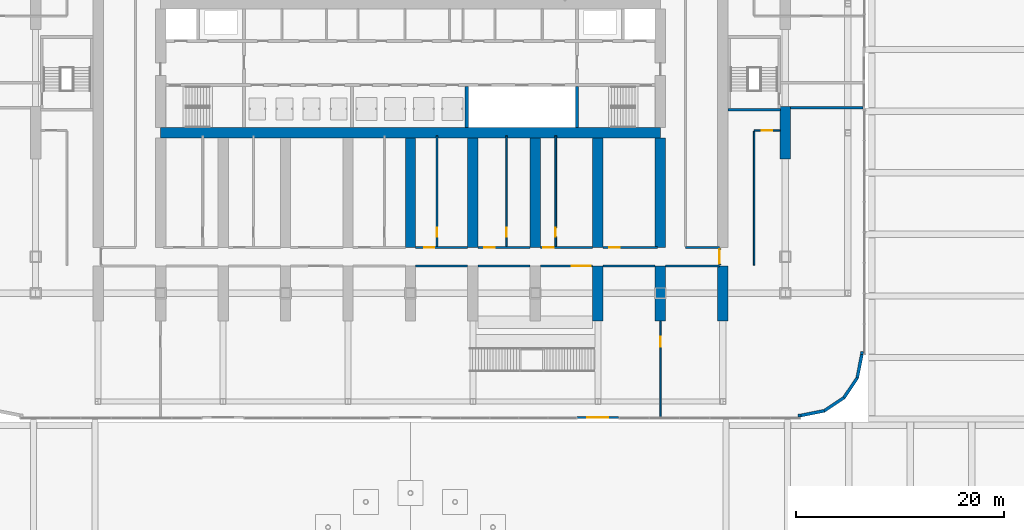
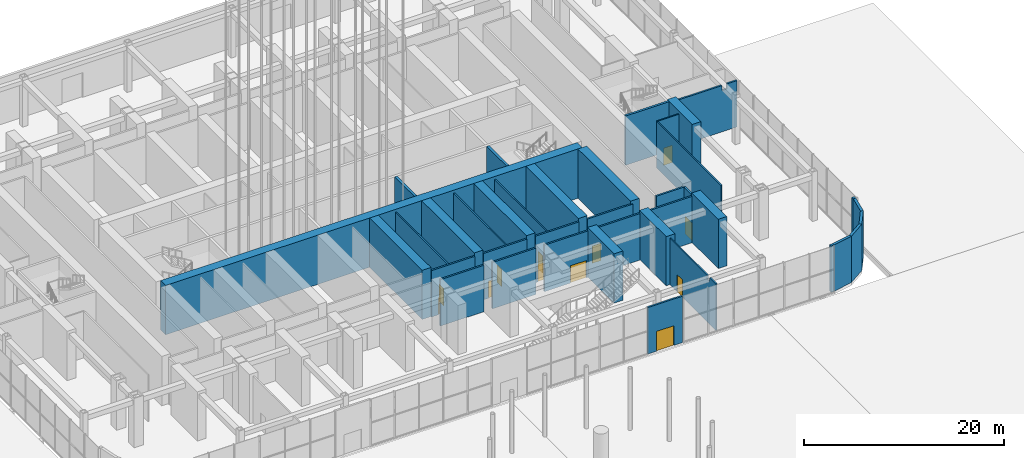
# One storey, part 18 of 57: 38 walls, 12 doors, 12 openings.
"""IFC4 building model written with IfcOpenShell, lengths in metres."""

import ifcopenshell
import ifcopenshell.guid

model = None  # the IFC model being written
_history = None  # IfcOwnerHistory: only IFC2X3 demands one
_inside = {}  # id of a spatial element -> (the spatial element, [elements in it])
_under = {}  # id of a project, library or spatial element -> (it, [spatial elements below it])
_declared = {}  # id of a project -> (the project, [libraries it declares])
_typed = {}  # id of a type object -> (the type object, [elements of that type])
_made_of = {}  # id of a material, layer set ... -> (it, [elements and type objects made of it])


def new_model(schema):
    """Start an empty IFC model of exactly this schema.

    Asked for "IFC4X3", IfcOpenShell would pick the latest addendum, in which some entities
    have other attributes; the version numbers below select the first issue.
    IFC2X3 requires an IfcOwnerHistory on every rooted entity: one is made here for all.
    """
    global model, _history
    if schema == "IFC4X3":
        model = ifcopenshell.file(schema_version=(4, 3, 0, 0))
    else:
        model = ifcopenshell.file(schema=schema)
    _inside.clear()
    _under.clear()
    _declared.clear()
    _typed.clear()
    _made_of.clear()
    _history = None
    if model.schema == "IFC2X3":
        org = make("IfcOrganization", Name="unknown")
        user = make(
            "IfcPersonAndOrganization",
            ThePerson=make("IfcPerson", FamilyName="unknown"),
            TheOrganization=org,
        )
        app = make(
            "IfcApplication",
            ApplicationDeveloper=org,
            Version="unknown",
            ApplicationFullName="unknown",
            ApplicationIdentifier="unknown",
        )
        _history = make(
            "IfcOwnerHistory",
            OwningUser=user,
            OwningApplication=app,
            ChangeAction="ADDED",
            CreationDate=0,
        )
    return model


def make(cls, **values):
    """One entity of the class cls with the attributes given. An attribute that is None is left unset."""
    return model.create_entity(
        cls, **{name: value for name, value in values.items() if value is not None}
    )


def rooted(cls, **values):
    """An entity with a GlobalId (a new one), such as an element, a storey or a relation."""
    return make(cls, GlobalId=ifcopenshell.guid.new(), OwnerHistory=_history, **values)


def si_unit(unit_type, name, prefix=None):
    """IfcSIUnit, for example si_unit("LENGTHUNIT", "METRE", prefix="MILLI")."""
    return make("IfcSIUnit", UnitType=unit_type, Prefix=prefix, Name=name)


def assignment(units):
    """IfcUnitAssignment: the units of a project."""
    return None if units is None else make("IfcUnitAssignment", Units=units)


def point(xyz):
    """IfcCartesianPoint."""
    return None if xyz is None else make("IfcCartesianPoint", Coordinates=xyz)


def direction(xyz):
    """IfcDirection."""
    return None if xyz is None else make("IfcDirection", DirectionRatios=xyz)


def frame(location, z_axis=None, x_axis=None):
    """IfcAxis2Placement3D, a coordinate frame: its origin and axes. An axis left out is left unset."""
    return make(
        "IfcAxis2Placement3D",
        Location=point(location),
        Axis=direction(z_axis),
        RefDirection=direction(x_axis),
    )


def frame_2d(location, x_axis=None):
    """IfcAxis2Placement2D, a coordinate frame in the plane: its origin and x axis."""
    return make(
        "IfcAxis2Placement2D", Location=point(location), RefDirection=direction(x_axis)
    )


def origin():
    """The frame at (0, 0, 0) with its axes left unset."""
    return frame((0.0, 0.0, 0.0))


def place(relative_to, where):
    """IfcLocalPlacement: puts the frame where relative to a parent placement (None: the world)."""
    return make(
        "IfcLocalPlacement", PlacementRelTo=relative_to, RelativePlacement=where
    )


def context(
    kind, dimensions, precision=None, world=None, true_north=None, identifier=None
):
    """IfcGeometricRepresentationContext, for example the 3D "Model" context."""
    return make(
        "IfcGeometricRepresentationContext",
        ContextIdentifier=identifier,
        ContextType=kind,
        CoordinateSpaceDimension=dimensions,
        Precision=precision,
        WorldCoordinateSystem=world,
        TrueNorth=true_north,
    )


def subcontext(parent, identifier, kind, view, scale=None):
    """IfcGeometricRepresentationSubContext, for example "Body" below "Model"."""
    return make(
        "IfcGeometricRepresentationSubContext",
        ContextIdentifier=identifier,
        ContextType=kind,
        ParentContext=parent,
        TargetScale=scale,
        TargetView=view,
    )


def project(units=None, contexts=None):
    """IfcProject with its units and contexts."""
    return rooted(
        "IfcProject",
        Name="project",
        RepresentationContexts=contexts,
        UnitsInContext=assignment(units),
    )


def spatial(cls, under=None, at=None, **own):
    """A site, building, storey or space (cls), placed at a placement, below another one or the project."""
    s = rooted(cls, ObjectPlacement=at, **own)
    if under is not None:
        _under.setdefault(under.id(), (under, []))[1].append(s)
    return s


def polyline(points):
    """IfcPolyline through the points."""
    return make("IfcPolyline", Points=[point(p) for p in points])


def profile(cls, at=None, kind="AREA", **sizes):
    """A parametric profile (cls). Its sizes go by their IFC names, for example OverallWidth=200.0."""
    return make(cls, ProfileType=kind, Position=at, **sizes)


def rectangle(**sizes):
    """IfcRectangleProfileDef."""
    return profile("IfcRectangleProfileDef", **sizes)


def outline(outer, holes=None, kind="AREA"):
    """IfcArbitraryClosedProfileDef: a profile drawn as a closed curve; with holes, ...WithVoids."""
    if holes is None:
        return make("IfcArbitraryClosedProfileDef", ProfileType=kind, OuterCurve=outer)
    return make(
        "IfcArbitraryProfileDefWithVoids",
        ProfileType=kind,
        OuterCurve=outer,
        InnerCurves=holes,
    )


def extrude(swept, where, along, depth):
    """IfcExtrudedAreaSolid: the profile swept, set in the frame where, extruded along a direction by depth."""
    return make(
        "IfcExtrudedAreaSolid",
        SweptArea=swept,
        Position=where,
        ExtrudedDirection=direction(along),
        Depth=depth,
    )


def shape(context_of_items, identifier, shape_type, items):
    """IfcShapeRepresentation: the items that make up one representation, for example the "Body"."""
    return make(
        "IfcShapeRepresentation",
        ContextOfItems=context_of_items,
        RepresentationIdentifier=identifier,
        RepresentationType=shape_type,
        Items=items,
    )


def material(Name=None, Category=None):
    """IfcMaterial."""
    return make("IfcMaterial", Name=Name, Category=Category)


def layer(
    of_material, thickness, ventilated=None, Name=None, Category=None, Priority=None
):
    """IfcMaterialLayer: one layer of a wall or slab, of a material (None: an air gap)."""
    return make(
        "IfcMaterialLayer",
        Material=of_material,
        LayerThickness=thickness,
        IsVentilated=ventilated,
        Name=Name,
        Category=Category,
        Priority=Priority,
    )


def layer_set(layers, Name=None):
    """IfcMaterialLayerSet."""
    return make("IfcMaterialLayerSet", MaterialLayers=layers, LayerSetName=Name)


def made_of(thing, what):
    """Note that an element or type object is made of a material, layer set ...; save() writes the relation."""
    if what is not None:
        _made_of.setdefault(what.id(), (what, []))[1].append(thing)
    return thing


def type_object(cls, material=None, **own):
    """A type object (cls), such as IfcWallType, which elements share."""
    return made_of(rooted(cls, **own), material)


def element(
    cls,
    number,
    at=None,
    inside=None,
    cuts=None,
    type_object=None,
    material=None,
    context=None,
    identifier="Body",
    shape_type=None,
    held_by="IfcProductDefinitionShape",
    body=None,
    shapes=None,
    **own,
):
    """One element of the class cls, such as IfcWall. Its Tag is "e" and its number.

    at: its placement. inside: the storey or other place that contains it. cuts: it is an
    opening in that element (IfcRelVoidsElement). A single representation is given by context,
    identifier, shape_type and body (its items); several are given by shapes. held_by: the class
    of the entity that holds the representations. save() writes the other relations.
    """
    e = rooted(cls, Tag="e%d" % number, ObjectPlacement=at, **own)
    if body is not None:
        shapes = [shape(context, identifier, shape_type, body)]
    if shapes is not None:
        e.Representation = make(held_by, Representations=shapes)
    if inside is not None:
        _inside.setdefault(inside.id(), (inside, []))[1].append(e)
    if cuts is not None:
        rooted(
            "IfcRelVoidsElement", RelatingBuildingElement=cuts, RelatedOpeningElement=e
        )
    if type_object is not None:
        _typed.setdefault(type_object.id(), (type_object, []))[1].append(e)
    return made_of(e, material)


def fill(opening, filler):
    """IfcRelFillsElement: the door or window that sits in an opening."""
    return rooted(
        "IfcRelFillsElement",
        RelatingOpeningElement=opening,
        RelatedBuildingElement=filler,
    )


def aggregate(whole, parts):
    """IfcRelAggregates: a whole, such as a stair, and the parts it consists of."""
    return rooted("IfcRelAggregates", RelatingObject=whole, RelatedObjects=parts)


def save(model, path):
    """Write the relations noted so far, then the file.

    IfcRelAggregates (storeys below a building ...), IfcRelContainedInSpatialStructure (elements
    in a storey), IfcRelDefinesByType, IfcRelAssociatesMaterial and IfcRelDeclares: one each for
    every whole, place, type object, material and project.
    """
    for whole, parts in _under.values():
        aggregate(whole, parts)
    for where, things in _inside.values():
        rooted(
            "IfcRelContainedInSpatialStructure",
            RelatedElements=things,
            RelatingStructure=where,
        )
    for kind, things in _typed.values():
        rooted("IfcRelDefinesByType", RelatedObjects=things, RelatingType=kind)
    for what, things in _made_of.values():
        rooted("IfcRelAssociatesMaterial", RelatedObjects=things, RelatingMaterial=what)
    for by, libraries in _declared.values():
        rooted("IfcRelDeclares", RelatingContext=by, RelatedDefinitions=libraries)
    model.write(path)


model = new_model("IFC4")

# Units and contexts
model_context = context("Model", 3, precision=1e-05, world=origin(), true_north=direction((0.0, 1.0)))
body_context = subcontext(model_context, "Body", "Model", "MODEL_VIEW")
ifc_project = project(units=[si_unit("LENGTHUNIT", "METRE"), si_unit("AREAUNIT", "SQUARE_METRE"), si_unit("VOLUMEUNIT", "CUBIC_METRE"), si_unit("PLANEANGLEUNIT", "RADIAN"), si_unit("MASSUNIT", "GRAM", prefix="KILO")], contexts=[model_context])

# Site, building, storey
site_placement = place(None, origin())
site = spatial("IfcSite", under=ifc_project, at=site_placement, CompositionType="ELEMENT")
building_placement = place(site_placement, origin())
building = spatial("IfcBuilding", under=site, at=building_placement, Name="Orbita Commons", CompositionType="ELEMENT")
storey_placement = place(building_placement, origin())
storey = spatial("IfcBuildingStorey", under=building, at=storey_placement, Name="L00", CompositionType="ELEMENT", Elevation=0.0)

# Walls
ifc_material_1 = material(Name="Concrete C50/60", Category="concrete")
ifc_layer_1 = layer(ifc_material_1, 0.300048828125)
ifc_layer_set_1 = layer_set([ifc_layer_1], Name="Concrete C50/60")
wall_type_1 = type_object("IfcWallType", Name="Core inner wall 300 C50/60", PredefinedType="SHEAR", material=ifc_layer_set_1)
for number, where, z_axis, x_axis, name in (
    (1, (58.0, 26.300048828125, 0.0), (0.0, 0.0, 1.0), (0.0, 1.0, 0.0), "Stair S2 wall L00"),
    (2, (47.39990234375, 26.300048828125, 0.0), (0.0, 0.0, 1.0), (0.0, 1.0, 0.0), "Hoistway division wall L00"),
):
    element("IfcWall", number, at=place(storey_placement, frame(where, z_axis=z_axis, x_axis=x_axis)), inside=storey, type_object=wall_type_1, Name=name, PredefinedType="SHEAR", context=body_context, shape_type="SweptSolid", body=[
        extrude(rectangle(XDim=3.949951171875, YDim=0.300048828125, at=frame_2d((1.97509765625, 0.0))), origin(), (0.0, 0.0, 1.0), 6.0),
    ])
ifc_material_2 = material(Name="Concrete C50/60", Category="concrete")
ifc_layer_2 = layer(ifc_material_2, 1.0)
ifc_layer_set_2 = layer_set([ifc_layer_2], Name="Concrete C50/60")
wall_type_2 = type_object("IfcWallType", Name="Core wall 1000 C50/60", PredefinedType="SHEAR", material=ifc_layer_set_2)
wall_1_placement = place(storey_placement, frame((18.0, 25.800048828125, 0.0), z_axis=(0.0, 0.0, 1.0), x_axis=(1.0, 0.0, 0.0)))
element("IfcWall", 3, at=wall_1_placement, inside=storey, type_object=wall_type_2, Name="Core spine wall south L00", PredefinedType="SHEAR", context=body_context, shape_type="SweptSolid", body=[
    extrude(rectangle(XDim=48.0, YDim=1.0, at=frame_2d((24.0, 0.0))), origin(), (0.0, 0.0, 1.0), 6.0),
])
ifc_material_3 = material(Name="Concrete blockwork", Category="masonry")
ifc_layer_3 = layer(ifc_material_3, 0.199951171875)
ifc_layer_set_3 = layer_set([ifc_layer_3], Name="Concrete blockwork")
wall_type_3 = type_object("IfcWallType", Name="Corridor wall 200 blockwork", PredefinedType="SOLIDWALL", material=ifc_layer_set_3)
for number, where, z_axis, x_axis, name in (
    (4, (42.5, 13.0, 0.0), (0.0, 0.0, 1.0), (1.0, 0.0, 0.0), "Corridor wall 200 blockwork L00"),
    (5, (48.5, 13.0, 0.0), (0.0, 0.0, 1.0), (1.0, 0.0, 0.0), "Corridor wall 200 blockwork L00"),
):
    element("IfcWall", number, at=place(storey_placement, frame(where, z_axis=z_axis, x_axis=x_axis)), inside=storey, type_object=wall_type_3, Name=name, PredefinedType="SOLIDWALL", context=body_context, shape_type="SweptSolid", body=[
        extrude(rectangle(XDim=5.0, YDim=0.199951171875, at=frame_2d((2.5, 0.0))), origin(), (0.0, 0.0, 1.0), 5.64990234375),
    ])

# Wall, opening, door
wall_2_placement = place(storey_placement, frame((54.5, 13.0, 0.0), z_axis=(0.0, 0.0, 1.0), x_axis=(1.0, 0.0, 0.0)))
wall_2 = element("IfcWall", 6, at=wall_2_placement, inside=storey, type_object=wall_type_3, Name="Corridor wall 200 blockwork L00", PredefinedType="SOLIDWALL", context=body_context, shape_type="SweptSolid", body=[
    extrude(rectangle(XDim=5.0, YDim=0.199951171875, at=frame_2d((2.5, 0.0))), origin(), (0.0, 0.0, 1.0), 5.64990234375),
])
opening_1_placement = place(wall_2_placement, frame((3.0, 0.0, 0.0)))
opening_1 = element("IfcOpeningElement", 7, at=opening_1_placement, cuts=wall_2, Name="Opening D07", PredefinedType="OPENING", context=body_context, shape_type="SweptSolid", body=[
    extrude(rectangle(XDim=1.800048828125, YDim=2.10009765625, at=frame_2d((0.89990234375, 1.050048828125))), frame((0.0, 0.10986328125, 0.0), z_axis=(0.0, -1.0, 0.0), x_axis=(1.0, 0.0, 0.0)), (0.0, 0.0, 1.0), 0.219970703125),
])
ifc_material_4 = material(Name="Steel-faced fire door leaf", Category="steel")
door_type_1 = type_object("IfcDoorType", Name="Double corridor door 20 min 1800x2100", OperationType="DOUBLE_DOOR_SINGLE_SWING", PredefinedType="DOOR", material=ifc_material_4)
door_1_placement = place(opening_1_placement, origin())
door_1 = element("IfcDoor", 8, at=door_1_placement, inside=storey, type_object=door_type_1, Name="Hall doors south", OperationType="DOUBLE_DOOR_SINGLE_SWING", OverallHeight=2.10009765625, OverallWidth=1.800048828125, PredefinedType="DOOR", context=body_context, shape_type="SweptSolid", body=[
    extrude(rectangle(XDim=1.800048828125, YDim=2.10009765625, at=frame_2d((0.89990234375, 1.050048828125))), frame((0.0, 0.02490234375, 0.0), z_axis=(0.0, -1.0, 0.0), x_axis=(1.0, 0.0, 0.0)), (0.0, 0.0, 1.0), 0.050048828125),
])
fill(opening_1, door_1)

# Walls
wall_3_placement = place(storey_placement, frame((60.5, 13.0, 0.0), z_axis=(0.0, 0.0, 1.0), x_axis=(1.0, 0.0, 0.0)))
element("IfcWall", 9, at=wall_3_placement, inside=storey, type_object=wall_type_3, Name="Corridor wall 200 blockwork L00", PredefinedType="SOLIDWALL", context=body_context, shape_type="SweptSolid", body=[
    extrude(rectangle(XDim=5.0, YDim=0.199951171875, at=frame_2d((2.5, 0.0))), origin(), (0.0, 0.0, 1.0), 5.64990234375),
])
wall_4_placement = place(storey_placement, frame((66.5, 13.0, 0.0), z_axis=(0.0, 0.0, 1.0), x_axis=(1.0, 0.0, 0.0)))
element("IfcWall", 10, at=wall_4_placement, inside=storey, type_object=wall_type_3, Name="Corridor wall 200 blockwork L00", PredefinedType="SOLIDWALL", context=body_context, shape_type="SweptSolid", body=[
    extrude(rectangle(XDim=5.199951171875, YDim=0.199951171875, at=frame_2d((2.60009765625, 0.0))), origin(), (0.0, 0.0, 1.0), 5.64990234375),
])
wall_5_placement = place(storey_placement, frame((68.39990234375, 14.800048828125, 0.0), z_axis=(0.0, 0.0, 1.0), x_axis=(1.0, 0.0, 0.0)))
element("IfcWall", 11, at=wall_5_placement, inside=storey, type_object=wall_type_3, Name="Corridor wall 200 blockwork L00", PredefinedType="SOLIDWALL", context=body_context, shape_type="SweptSolid", body=[
    extrude(rectangle(XDim=3.300048828125, YDim=0.199951171875, at=frame_2d((1.64990234375, 0.0))), origin(), (0.0, 0.0, 1.0), 5.64990234375),
])

# Wall, opening, door
wall_6_placement = place(storey_placement, frame((42.5, 14.800048828125, 0.0), z_axis=(0.0, 0.0, 1.0), x_axis=(1.0, 0.0, 0.0)))
wall_6 = element("IfcWall", 12, at=wall_6_placement, inside=storey, type_object=wall_type_3, Name="Corridor wall 200 blockwork L00", PredefinedType="SOLIDWALL", context=body_context, shape_type="SweptSolid", body=[
    extrude(rectangle(XDim=5.0, YDim=0.199951171875, at=frame_2d((2.5, 0.0))), origin(), (0.0, 0.0, 1.0), 5.64990234375),
])
opening_2_placement = place(wall_6_placement, frame((0.800048828125, 0.0, 0.0)))
opening_2 = element("IfcOpeningElement", 13, at=opening_2_placement, cuts=wall_6, Name="Opening D06", PredefinedType="OPENING", context=body_context, shape_type="SweptSolid", body=[
    extrude(rectangle(XDim=1.0, YDim=2.10009765625, at=frame_2d((0.5, 1.050048828125))), frame((0.0, 0.10986328125, 0.0), z_axis=(0.0, -1.0, 0.0), x_axis=(1.0, 0.0, 0.0)), (0.0, 0.0, 1.0), 0.219970703125),
])
ifc_material_5 = material(Name="Steel-faced fire door leaf", Category="steel")
door_type_2 = type_object("IfcDoorType", Name="Corridor door 20 min 1000x2100", OperationType="SINGLE_SWING_LEFT", PredefinedType="DOOR", material=ifc_material_5)
door_2_placement = place(opening_2_placement, origin())
door_2 = element("IfcDoor", 14, at=door_2_placement, inside=storey, type_object=door_type_2, Name="Room door", OperationType="SINGLE_SWING_LEFT", OverallHeight=2.10009765625, OverallWidth=1.0, PredefinedType="DOOR", context=body_context, shape_type="SweptSolid", body=[
    extrude(rectangle(XDim=1.0, YDim=2.10009765625, at=frame_2d((0.5, 1.050048828125))), frame((0.0, 0.02490234375, 0.0), z_axis=(0.0, -1.0, 0.0), x_axis=(1.0, 0.0, 0.0)), (0.0, 0.0, 1.0), 0.050048828125),
])
fill(opening_2, door_2)

wall_7_placement = place(storey_placement, frame((48.5, 14.800048828125, 0.0), z_axis=(0.0, 0.0, 1.0), x_axis=(1.0, 0.0, 0.0)))
wall_7 = element("IfcWall", 15, at=wall_7_placement, inside=storey, type_object=wall_type_3, Name="Corridor wall 200 blockwork L00", PredefinedType="SOLIDWALL", context=body_context, shape_type="SweptSolid", body=[
    extrude(rectangle(XDim=5.0, YDim=0.199951171875, at=frame_2d((2.5, 0.0))), origin(), (0.0, 0.0, 1.0), 5.64990234375),
])
opening_3_placement = place(wall_7_placement, frame((0.574951171875, 0.0, 0.0)))
opening_3 = element("IfcOpeningElement", 16, at=opening_3_placement, cuts=wall_7, Name="Opening D06", PredefinedType="OPENING", context=body_context, shape_type="SweptSolid", body=[
    extrude(rectangle(XDim=1.0, YDim=2.10009765625, at=frame_2d((0.5, 1.050048828125))), frame((0.0, 0.10986328125, 0.0), z_axis=(0.0, -1.0, 0.0), x_axis=(1.0, 0.0, 0.0)), (0.0, 0.0, 1.0), 0.219970703125),
])
door_3_placement = place(opening_3_placement, origin())
door_3 = element("IfcDoor", 17, at=door_3_placement, inside=storey, type_object=door_type_2, Name="Room door", OperationType="SINGLE_SWING_LEFT", OverallHeight=2.10009765625, OverallWidth=1.0, PredefinedType="DOOR", context=body_context, shape_type="SweptSolid", body=[
    extrude(rectangle(XDim=1.0, YDim=2.10009765625, at=frame_2d((0.5, 1.050048828125))), frame((0.0, 0.02490234375, 0.0), z_axis=(0.0, -1.0, 0.0), x_axis=(1.0, 0.0, 0.0)), (0.0, 0.0, 1.0), 0.050048828125),
])
fill(opening_3, door_3)

wall_8_placement = place(storey_placement, frame((54.5, 14.800048828125, 0.0), z_axis=(0.0, 0.0, 1.0), x_axis=(1.0, 0.0, 0.0)))
wall_8 = element("IfcWall", 18, at=wall_8_placement, inside=storey, type_object=wall_type_3, Name="Corridor wall 200 blockwork L00", PredefinedType="SOLIDWALL", context=body_context, shape_type="SweptSolid", body=[
    extrude(rectangle(XDim=5.0, YDim=0.199951171875, at=frame_2d((2.5, 0.0))), origin(), (0.0, 0.0, 1.0), 5.64990234375),
])
opening_4_placement = place(wall_8_placement, frame((0.27490234375, 0.0, 0.0)))
opening_4 = element("IfcOpeningElement", 19, at=opening_4_placement, cuts=wall_8, Name="Opening D06", PredefinedType="OPENING", context=body_context, shape_type="SweptSolid", body=[
    extrude(rectangle(XDim=1.0, YDim=2.10009765625, at=frame_2d((0.5, 1.050048828125))), frame((0.0, 0.10986328125, 0.0), z_axis=(0.0, -1.0, 0.0), x_axis=(1.0, 0.0, 0.0)), (0.0, 0.0, 1.0), 0.219970703125),
])
door_4_placement = place(opening_4_placement, origin())
door_4 = element("IfcDoor", 20, at=door_4_placement, inside=storey, type_object=door_type_2, Name="Room door", OperationType="SINGLE_SWING_LEFT", OverallHeight=2.10009765625, OverallWidth=1.0, PredefinedType="DOOR", context=body_context, shape_type="SweptSolid", body=[
    extrude(rectangle(XDim=1.0, YDim=2.10009765625, at=frame_2d((0.5, 1.050048828125))), frame((0.0, 0.02490234375, 0.0), z_axis=(0.0, -1.0, 0.0), x_axis=(1.0, 0.0, 0.0)), (0.0, 0.0, 1.0), 0.050048828125),
])
fill(opening_4, door_4)

wall_9_placement = place(storey_placement, frame((60.5, 14.800048828125, 0.0), z_axis=(0.0, 0.0, 1.0), x_axis=(1.0, 0.0, 0.0)))
wall_9 = element("IfcWall", 21, at=wall_9_placement, inside=storey, type_object=wall_type_3, Name="Corridor wall 200 blockwork L00", PredefinedType="SOLIDWALL", context=body_context, shape_type="SweptSolid", body=[
    extrude(rectangle(XDim=5.199951171875, YDim=0.199951171875, at=frame_2d((2.60009765625, 0.0))), origin(), (0.0, 0.0, 1.0), 5.64990234375),
])
opening_5_placement = place(wall_9_placement, frame((0.574951171875, 0.0, 0.0)))
opening_5 = element("IfcOpeningElement", 22, at=opening_5_placement, cuts=wall_9, Name="Opening D06", PredefinedType="OPENING", context=body_context, shape_type="SweptSolid", body=[
    extrude(rectangle(XDim=1.0, YDim=2.10009765625, at=frame_2d((0.5, 1.050048828125))), frame((0.0, 0.10986328125, 0.0), z_axis=(0.0, -1.0, 0.0), x_axis=(1.0, 0.0, 0.0)), (0.0, 0.0, 1.0), 0.219970703125),
])
door_5_placement = place(opening_5_placement, origin())
door_5 = element("IfcDoor", 23, at=door_5_placement, inside=storey, type_object=door_type_2, Name="Room door", OperationType="SINGLE_SWING_LEFT", OverallHeight=2.10009765625, OverallWidth=1.0, PredefinedType="DOOR", context=body_context, shape_type="SweptSolid", body=[
    extrude(rectangle(XDim=1.0, YDim=2.10009765625, at=frame_2d((0.5, 1.050048828125))), frame((0.0, 0.02490234375, 0.0), z_axis=(0.0, -1.0, 0.0), x_axis=(1.0, 0.0, 0.0)), (0.0, 0.0, 1.0), 0.050048828125),
])
fill(opening_5, door_5)

wall_10_placement = place(storey_placement, frame((71.699951171875, 13.10009765625, 0.0), z_axis=(0.0, 0.0, 1.0), x_axis=(0.0, 1.0, 0.0)))
wall_10 = element("IfcWall", 24, at=wall_10_placement, inside=storey, type_object=wall_type_3, Name="Corridor wall 200 blockwork L00", PredefinedType="SOLIDWALL", context=body_context, shape_type="SweptSolid", body=[
    extrude(rectangle(XDim=1.599853515625, YDim=0.199951171875, at=frame_2d((0.7998046875, 0.0))), origin(), (0.0, 0.0, 1.0), 5.64990234375),
])
opening_6_placement = place(wall_10_placement, frame((0.10009765625, 0.0, 0.0)))
opening_6 = element("IfcOpeningElement", 25, at=opening_6_placement, cuts=wall_10, Name="Opening D08", PredefinedType="OPENING", context=body_context, shape_type="SweptSolid", body=[
    extrude(rectangle(XDim=1.39990234375, YDim=2.10009765625, at=frame_2d((0.699951171875, 1.050048828125))), frame((0.0, 0.10986328125, 0.0), z_axis=(0.0, -1.0, 0.0), x_axis=(1.0, 0.0, 0.0)), (0.0, 0.0, 1.0), 0.219970703125),
])
ifc_material_6 = material(Name="Steel-faced fire door leaf", Category="steel")
door_type_3 = type_object("IfcDoorType", Name="Double corridor door 20 min 1400x2100", OperationType="DOUBLE_DOOR_SINGLE_SWING", PredefinedType="DOOR", material=ifc_material_6)
door_6_placement = place(opening_6_placement, origin())
door_6 = element("IfcDoor", 26, at=door_6_placement, inside=storey, type_object=door_type_3, Name="End room doors", OperationType="DOUBLE_DOOR_SINGLE_SWING", OverallHeight=2.10009765625, OverallWidth=1.39990234375, PredefinedType="DOOR", context=body_context, shape_type="SweptSolid", body=[
    extrude(rectangle(XDim=1.39990234375, YDim=2.10009765625, at=frame_2d((0.699951171875, 1.050048828125))), frame((0.0, 0.02490234375, 0.0), z_axis=(0.0, -1.0, 0.0), x_axis=(1.0, 0.0, 0.0)), (0.0, 0.0, 1.0), 0.050048828125),
])
fill(opening_6, door_6)

# Walls
ifc_material_7 = material(Name="Hollow concrete block 200", Category="concrete")
ifc_layer_4 = layer(ifc_material_7, 0.199951171875)
ifc_layer_set_4 = layer_set([ifc_layer_4], Name="Hollow concrete block 200")
wall_type_4 = type_object("IfcWallType", Name="Corridor wall 200 hollow concrete block", PredefinedType="SOLIDWALL", material=ifc_layer_set_4)
wall_11_placement = place(storey_placement, frame((78.5, 28.199951171875, 0.0), z_axis=(0.0, 0.0, 1.0), x_axis=(1.0, 0.0, 0.0)))
element("IfcWall", 27, at=wall_11_placement, inside=storey, type_object=wall_type_4, Name="Corridor wall 200 hollow concrete block L00", PredefinedType="SOLIDWALL", context=body_context, shape_type="SweptSolid", body=[
    extrude(outline(polyline([(0.0, 0.0), (6.945068359375, 0.0), (6.945068359375, 5.64990234375), (5.802001953125, 5.64990234375), (5.800048828125, 5.050048828125), (5.201904296875, 5.050048828125), (5.199951171875, 5.64990234375), (0.0, 5.64990234375), (0.0, 0.0)])), frame((0.0, 0.10009765625, 0.0), z_axis=(0.0, -1.0, 0.0), x_axis=(1.0, 0.0, 0.0)), (0.0, 0.0, 1.0), 0.199951171875),
])
ifc_material_8 = material(Name="Concrete C50/60", Category="concrete")
ifc_layer_5 = layer(ifc_material_8, 1.0)
ifc_layer_set_5 = layer_set([ifc_layer_5], Name="Concrete C50/60")
wall_type_5 = type_object("IfcWallType", Name="Cross wall 1000 C50/60", PredefinedType="SHEAR", material=ifc_layer_set_5)
for number, where, z_axis, x_axis, name in (
    (28, (42.0, 14.800048828125, 0.0), (0.0, 0.0, 1.0), (0.0, 1.0, 0.0), "Cross wall 8 south inner L00"),
    (29, (48.0, 14.800048828125, 0.0), (0.0, 0.0, 1.0), (0.0, 1.0, 0.0), "Cross wall 9 south inner L00"),
    (30, (54.0, 14.800048828125, 0.0), (0.0, 0.0, 1.0), (0.0, 1.0, 0.0), "Cross wall 10 south inner L00"),
):
    element("IfcWall", number, at=place(storey_placement, frame(where, z_axis=z_axis, x_axis=x_axis)), inside=storey, type_object=wall_type_5, Name=name, PredefinedType="SHEAR", context=body_context, shape_type="SweptSolid", body=[
        extrude(rectangle(XDim=10.5, YDim=1.0, at=frame_2d((5.25, 0.0))), origin(), (0.0, 0.0, 1.0), 6.0),
    ])
wall_12_placement = place(storey_placement, frame((60.0, 7.699951171875, 0.0), z_axis=(0.0, 0.0, 1.0), x_axis=(0.0, 1.0, 0.0)))
element("IfcWall", 31, at=wall_12_placement, inside=storey, type_object=wall_type_5, Name="Cross wall 11 south outer L00", PredefinedType="SHEAR", context=body_context, shape_type="SweptSolid", body=[
    extrude(rectangle(XDim=5.300048828125, YDim=1.0, at=frame_2d((2.64990234375, 0.0))), origin(), (0.0, 0.0, 1.0), 6.0),
])
wall_13_placement = place(storey_placement, frame((60.0, 14.800048828125, 0.0), z_axis=(0.0, 0.0, 1.0), x_axis=(0.0, 1.0, 0.0)))
element("IfcWall", 32, at=wall_13_placement, inside=storey, type_object=wall_type_5, Name="Cross wall 11 south inner L00", PredefinedType="SHEAR", context=body_context, shape_type="SweptSolid", body=[
    extrude(rectangle(XDim=10.5, YDim=1.0, at=frame_2d((5.25, 0.0))), origin(), (0.0, 0.0, 1.0), 6.0),
])
wall_14_placement = place(storey_placement, frame((66.0, 7.699951171875, 0.0), z_axis=(0.0, 0.0, 1.0), x_axis=(0.0, 1.0, 0.0)))
element("IfcWall", 33, at=wall_14_placement, inside=storey, type_object=wall_type_5, Name="Cross wall 12 south outer L00", PredefinedType="SHEAR", context=body_context, shape_type="SweptSolid", body=[
    extrude(rectangle(XDim=5.300048828125, YDim=1.0, at=frame_2d((2.64990234375, 0.0))), origin(), (0.0, 0.0, 1.0), 6.0),
])
wall_15_placement = place(storey_placement, frame((66.0, 14.800048828125, 0.0), z_axis=(0.0, 0.0, 1.0), x_axis=(0.0, 1.0, 0.0)))
element("IfcWall", 34, at=wall_15_placement, inside=storey, type_object=wall_type_5, Name="Cross wall 12 south inner L00", PredefinedType="SHEAR", context=body_context, shape_type="SweptSolid", body=[
    extrude(rectangle(XDim=10.5, YDim=1.0, at=frame_2d((5.25, 0.0))), origin(), (0.0, 0.0, 1.0), 6.0),
])
wall_16_placement = place(storey_placement, frame((72.0, 7.699951171875, 0.0), z_axis=(0.0, 0.0, 1.0), x_axis=(0.0, 1.0, 0.0)))
element("IfcWall", 35, at=wall_16_placement, inside=storey, type_object=wall_type_5, Name="Cross wall 13 south outer L00", PredefinedType="SHEAR", context=body_context, shape_type="SweptSolid", body=[
    extrude(rectangle(XDim=5.300048828125, YDim=1.0, at=frame_2d((2.64990234375, 0.0))), origin(), (0.0, 0.0, 1.0), 6.0),
])
ifc_material_9 = material(Name="Concrete C50/60", Category="concrete")
ifc_layer_6 = layer(ifc_material_9, 1.0)
ifc_layer_set_6 = layer_set([ifc_layer_6], Name="Concrete C50/60")
wall_type_6 = type_object("IfcWallType", Name="End pier 1000x5000 C50/60", PredefinedType="SHEAR", material=ifc_layer_set_6)
wall_17_placement = place(storey_placement, frame((78.0, 23.300048828125, 0.0), z_axis=(0.0, 0.0, 1.0), x_axis=(0.0, 1.0, 0.0)))
element("IfcWall", 36, at=wall_17_placement, inside=storey, type_object=wall_type_6, Name="End pier 14/C L00", PredefinedType="SHEAR", context=body_context, shape_type="SweptSolid", body=[
    extrude(rectangle(XDim=5.0, YDim=1.0, at=frame_2d((2.5, 0.0))), origin(), (0.0, 0.0, 1.0), 6.0),
])

# Wall, opening, door
ifc_material_10 = material(Name="Aluminium framed glazed screen", Category="aluminium")
ifc_layer_7 = layer(ifc_material_10, 0.199951171875)
ifc_layer_set_7 = layer_set([ifc_layer_7], Name="Aluminium framed glazed screen")
wall_type_7 = type_object("IfcWallType", Name="Glazed entrance screen 200", PredefinedType="SOLIDWALL", material=ifc_layer_set_7)
wall_18_placement = place(storey_placement, frame((58.0, -1.550048828125, 0.0), z_axis=(0.0, 0.0, 1.0), x_axis=(1.0, 0.0, 0.0)))
wall_18 = element("IfcWall", 37, at=wall_18_placement, inside=storey, type_object=wall_type_7, Name="Entrance screen S 3", PredefinedType="SOLIDWALL", context=body_context, shape_type="SweptSolid", body=[
    extrude(rectangle(XDim=4.0, YDim=0.199951171875, at=frame_2d((2.0, 0.0))), origin(), (0.0, 0.0, 1.0), 5.64990234375),
])
opening_7_placement = place(wall_18_placement, frame((1.0, 0.0, 0.0)))
opening_7 = element("IfcOpeningElement", 38, at=opening_7_placement, cuts=wall_18, Name="Opening D91", PredefinedType="OPENING", context=body_context, shape_type="SweptSolid", body=[
    extrude(rectangle(XDim=2.0, YDim=2.39990234375, at=frame_2d((1.0, 1.199951171875))), frame((0.0, 0.10986328125, 0.0), z_axis=(0.0, -1.0, 0.0), x_axis=(1.0, 0.0, 0.0)), (0.0, 0.0, 1.0), 0.219970703125),
])
ifc_material_11 = material(Name="Aluminium glazed door", Category="aluminium")
door_type_4 = type_object("IfcDoorType", Name="Entrance door pair 2000x2400", OperationType="DOUBLE_DOOR_SINGLE_SWING", PredefinedType="DOOR", material=ifc_material_11)
door_7_placement = place(opening_7_placement, origin())
door_7 = element("IfcDoor", 39, at=door_7_placement, inside=storey, type_object=door_type_4, Name="Entrance doors S 3", OperationType="DOUBLE_DOOR_SINGLE_SWING", OverallHeight=2.39990234375, OverallWidth=2.0, PredefinedType="DOOR", context=body_context, shape_type="SweptSolid", body=[
    extrude(rectangle(XDim=2.0, YDim=2.39990234375, at=frame_2d((1.0, 1.199951171875))), frame((0.0, 0.02490234375, 0.0), z_axis=(0.0, -1.0, 0.0), x_axis=(1.0, 0.0, 0.0)), (0.0, 0.0, 1.0), 0.050048828125),
])
fill(opening_7, door_7)

ifc_material_12 = material(Name="Gypsum plasterboard on steel studs", Category="steel")
ifc_layer_8 = layer(ifc_material_12, 0.14990234375)
ifc_layer_set_8 = layer_set([ifc_layer_8], Name="Gypsum plasterboard on steel studs")
wall_type_8 = type_object("IfcWallType", Name="Partition 150 plasterboard", PredefinedType="PARTITIONING", material=ifc_layer_set_8)
wall_19_placement = place(storey_placement, frame((44.550048828125, 14.800048828125, 0.0), z_axis=(0.0, 0.0, 1.0), x_axis=(0.0, 1.0, 0.0)))
wall_19 = element("IfcWall", 40, at=wall_19_placement, inside=storey, type_object=wall_type_8, Name="Partition 150 plasterboard L00", PredefinedType="PARTITIONING", context=body_context, shape_type="SweptSolid", body=[
    extrude(rectangle(XDim=10.699951171875, YDim=0.14990234375, at=frame_2d((5.35009765625, 0.0))), origin(), (0.0, 0.0, 1.0), 5.64990234375),
])
opening_8_placement = place(wall_19_placement, frame((1.0, 0.0, 0.0)))
opening_8 = element("IfcOpeningElement", 41, at=opening_8_placement, cuts=wall_19, Name="Opening D09", PredefinedType="OPENING", context=body_context, shape_type="SweptSolid", body=[
    extrude(rectangle(XDim=0.89990234375, YDim=2.10009765625, at=frame_2d((0.449951171875, 1.050048828125))), frame((0.0, 0.0849609375, 0.0), z_axis=(0.0, -1.0, 0.0), x_axis=(1.0, 0.0, 0.0)), (0.0, 0.0, 1.0), 0.169921875),
])
ifc_material_13 = material(Name="Laminated timber door leaf", Category="wood")
door_type_5 = type_object("IfcDoorType", Name="En-suite door 900x2100", OperationType="SINGLE_SWING_RIGHT", PredefinedType="DOOR", material=ifc_material_13)
door_8_placement = place(opening_8_placement, origin())
door_8 = element("IfcDoor", 42, at=door_8_placement, inside=storey, type_object=door_type_5, Name="Cafe store L00 door", OperationType="SINGLE_SWING_RIGHT", OverallHeight=2.10009765625, OverallWidth=0.89990234375, PredefinedType="DOOR", context=body_context, shape_type="SweptSolid", body=[
    extrude(rectangle(XDim=0.89990234375, YDim=2.10009765625, at=frame_2d((0.449951171875, 1.050048828125))), frame((0.0, 0.02490234375, 0.0), z_axis=(0.0, -1.0, 0.0), x_axis=(1.0, 0.0, 0.0)), (0.0, 0.0, 1.0), 0.050048828125),
])
fill(opening_8, door_8)

wall_20_placement = place(storey_placement, frame((51.22509765625, 14.800048828125, 0.0), z_axis=(0.0, 0.0, 1.0), x_axis=(0.0, 1.0, 0.0)))
wall_20 = element("IfcWall", 43, at=wall_20_placement, inside=storey, type_object=wall_type_8, Name="Partition 150 plasterboard L00", PredefinedType="PARTITIONING", context=body_context, shape_type="SweptSolid", body=[
    extrude(rectangle(XDim=10.699951171875, YDim=0.14990234375, at=frame_2d((5.35009765625, 0.0))), origin(), (0.0, 0.0, 1.0), 5.64990234375),
])
opening_9_placement = place(wall_20_placement, frame((1.0, 0.0, 0.0)))
opening_9 = element("IfcOpeningElement", 44, at=opening_9_placement, cuts=wall_20, Name="Opening D09", PredefinedType="OPENING", context=body_context, shape_type="SweptSolid", body=[
    extrude(rectangle(XDim=0.89990234375, YDim=2.10009765625, at=frame_2d((0.449951171875, 1.050048828125))), frame((0.0, 0.0849609375, 0.0), z_axis=(0.0, -1.0, 0.0), x_axis=(1.0, 0.0, 0.0)), (0.0, 0.0, 1.0), 0.169921875),
])
door_9_placement = place(opening_9_placement, origin())
door_9 = element("IfcDoor", 45, at=door_9_placement, inside=storey, type_object=door_type_5, Name="Cafe furniture store L00 door", OperationType="SINGLE_SWING_RIGHT", OverallHeight=2.10009765625, OverallWidth=0.89990234375, PredefinedType="DOOR", context=body_context, shape_type="SweptSolid", body=[
    extrude(rectangle(XDim=0.89990234375, YDim=2.10009765625, at=frame_2d((0.449951171875, 1.050048828125))), frame((0.0, 0.02490234375, 0.0), z_axis=(0.0, -1.0, 0.0), x_axis=(1.0, 0.0, 0.0)), (0.0, 0.0, 1.0), 0.050048828125),
])
fill(opening_9, door_9)

wall_21_placement = place(storey_placement, frame((55.949951171875, 14.800048828125, 0.0), z_axis=(0.0, 0.0, 1.0), x_axis=(0.0, 1.0, 0.0)))
wall_21 = element("IfcWall", 46, at=wall_21_placement, inside=storey, type_object=wall_type_8, Name="Partition 150 plasterboard L00", PredefinedType="PARTITIONING", context=body_context, shape_type="SweptSolid", body=[
    extrude(rectangle(XDim=10.699951171875, YDim=0.14990234375, at=frame_2d((5.35009765625, 0.0))), origin(), (0.0, 0.0, 1.0), 5.64990234375),
])
opening_10_placement = place(wall_21_placement, frame((1.0, 0.0, 0.0)))
opening_10 = element("IfcOpeningElement", 47, at=opening_10_placement, cuts=wall_21, Name="Opening D09", PredefinedType="OPENING", context=body_context, shape_type="SweptSolid", body=[
    extrude(rectangle(XDim=0.89990234375, YDim=2.10009765625, at=frame_2d((0.449951171875, 1.050048828125))), frame((0.0, 0.0849609375, 0.0), z_axis=(0.0, -1.0, 0.0), x_axis=(1.0, 0.0, 0.0)), (0.0, 0.0, 1.0), 0.169921875),
])
door_10_placement = place(opening_10_placement, origin())
door_10 = element("IfcDoor", 48, at=door_10_placement, inside=storey, type_object=door_type_5, Name="Cafe dry store L00 door", OperationType="SINGLE_SWING_RIGHT", OverallHeight=2.10009765625, OverallWidth=0.89990234375, PredefinedType="DOOR", context=body_context, shape_type="SweptSolid", body=[
    extrude(rectangle(XDim=0.89990234375, YDim=2.10009765625, at=frame_2d((0.449951171875, 1.050048828125))), frame((0.0, 0.02490234375, 0.0), z_axis=(0.0, -1.0, 0.0), x_axis=(1.0, 0.0, 0.0)), (0.0, 0.0, 1.0), 0.050048828125),
])
fill(opening_10, door_10)

wall_22_placement = place(storey_placement, frame((66.0, -1.489990234375, 0.0), z_axis=(0.0, 0.0, 1.0), x_axis=(0.0, 1.0, 0.0)))
wall_22 = element("IfcWall", 49, at=wall_22_placement, inside=storey, type_object=wall_type_8, Name="Partition 150 plasterboard L00", PredefinedType="PARTITIONING", context=body_context, shape_type="SweptSolid", body=[
    extrude(outline(polyline([(0.0, 0.0), (9.18994140625, 0.0), (9.18994140625, 5.64990234375), (1.741943359375, 5.64990234375), (1.739990234375, 5.14990234375), (1.241943359375, 5.14990234375), (1.239990234375, 5.64990234375), (0.0, 5.64990234375), (0.0, 0.0)])), frame((0.0, 0.074951171875, 0.0), z_axis=(0.0, -1.0, 0.0), x_axis=(1.0, 0.0, 0.0)), (0.0, 0.0, 1.0), 0.14990234375),
])
opening_11_placement = place(wall_22_placement, frame((6.719970703125, 0.0, 0.0)))
opening_11 = element("IfcOpeningElement", 50, at=opening_11_placement, cuts=wall_22, Name="Opening D06", PredefinedType="OPENING", context=body_context, shape_type="SweptSolid", body=[
    extrude(rectangle(XDim=1.0, YDim=2.10009765625, at=frame_2d((0.5, 1.050048828125))), frame((0.0, 0.0849609375, 0.0), z_axis=(0.0, -1.0, 0.0), x_axis=(1.0, 0.0, 0.0)), (0.0, 0.0, 1.0), 0.169921875),
])
door_11_placement = place(opening_11_placement, origin())
door_11 = element("IfcDoor", 51, at=door_11_placement, inside=storey, type_object=door_type_2, Name="Bookshop door", OperationType="SINGLE_SWING_LEFT", OverallHeight=2.10009765625, OverallWidth=1.0, PredefinedType="DOOR", context=body_context, shape_type="SweptSolid", body=[
    extrude(rectangle(XDim=1.0, YDim=2.10009765625, at=frame_2d((0.5, 1.050048828125))), frame((0.0, 0.02490234375, 0.0), z_axis=(0.0, -1.0, 0.0), x_axis=(1.0, 0.0, 0.0)), (0.0, 0.0, 1.0), 0.050048828125),
])
fill(opening_11, door_11)

wall_23_placement = place(storey_placement, frame((75.0, 26.0, 0.0), z_axis=(0.0, 0.0, 1.0), x_axis=(1.0, 0.0, 0.0)))
wall_23 = element("IfcWall", 52, at=wall_23_placement, inside=storey, type_object=wall_type_8, Name="Partition 150 plasterboard L00", PredefinedType="PARTITIONING", context=body_context, shape_type="SweptSolid", body=[
    extrude(rectangle(XDim=2.5, YDim=0.14990234375, at=frame_2d((1.25, 0.0))), origin(), (0.0, 0.0, 1.0), 5.64990234375),
])
opening_12_placement = place(wall_23_placement, frame((0.75, 0.0, 0.0)))
opening_12 = element("IfcOpeningElement", 53, at=opening_12_placement, cuts=wall_23, Name="Opening D06", PredefinedType="OPENING", context=body_context, shape_type="SweptSolid", body=[
    extrude(rectangle(XDim=1.0, YDim=2.10009765625, at=frame_2d((0.5, 1.050048828125))), frame((0.0, 0.0849609375, 0.0), z_axis=(0.0, -1.0, 0.0), x_axis=(1.0, 0.0, 0.0)), (0.0, 0.0, 1.0), 0.169921875),
])
door_12_placement = place(opening_12_placement, origin())
door_12 = element("IfcDoor", 54, at=door_12_placement, inside=storey, type_object=door_type_2, Name="Exhibition gallery door", OperationType="SINGLE_SWING_LEFT", OverallHeight=2.10009765625, OverallWidth=1.0, PredefinedType="DOOR", context=body_context, shape_type="SweptSolid", body=[
    extrude(rectangle(XDim=1.0, YDim=2.10009765625, at=frame_2d((0.5, 1.050048828125))), frame((0.0, 0.02490234375, 0.0), z_axis=(0.0, -1.0, 0.0), x_axis=(1.0, 0.0, 0.0)), (0.0, 0.0, 1.0), 0.050048828125),
])
fill(opening_12, door_12)

# Walls
wall_24_placement = place(storey_placement, frame((75.0, 13.10009765625, 0.0), z_axis=(0.0, 0.0, 1.0), x_axis=(0.0, 1.0, 0.0)))
element("IfcWall", 55, at=wall_24_placement, inside=storey, type_object=wall_type_8, Name="Partition 150 plasterboard L00", PredefinedType="PARTITIONING", context=body_context, shape_type="SweptSolid", body=[
    extrude(rectangle(XDim=12.824951171875, YDim=0.14990234375, at=frame_2d((6.41259765625, 0.0))), origin(), (0.0, 0.0, 1.0), 5.64990234375),
])
ifc_material_14 = material(Name="Concrete C50/60", Category="concrete")
ifc_layer_9 = layer(ifc_material_14, 0.25)
ifc_layer_set_9 = layer_set([ifc_layer_9], Name="Concrete C50/60")
wall_type_9 = type_object("IfcWallType", Name="Podium stair wall 250 RC", PredefinedType="SHEAR", material=ifc_layer_set_9)
wall_25_placement = place(storey_placement, frame((72.47509765625, 28.0, 0.0), z_axis=(0.0, 0.0, 1.0), x_axis=(1.0, 0.0, 0.0)))
element("IfcWall", 56, at=wall_25_placement, inside=storey, type_object=wall_type_9, Name="Podium stair PS2 wall s L00", PredefinedType="SHEAR", context=body_context, shape_type="SweptSolid", body=[
    extrude(rectangle(XDim=5.0498046875, YDim=0.25, at=frame_2d((2.52490234375, 0.0))), origin(), (0.0, 0.0, 1.0), 6.0),
])
ifc_material_15 = material(Name="Precast concrete C40/50, white board-marked finish", Category="concrete")
ifc_layer_10 = layer(ifc_material_15, 0.300048828125)
ifc_layer_set_10 = layer_set([ifc_layer_10], Name="Precast concrete C40/50, white board-marked finish")
wall_type_10 = type_object("IfcWallType", Name="Precast concrete end shield 300", PredefinedType="SOLIDWALL", material=ifc_layer_set_10)
wall_26_placement = place(storey_placement, frame((79.5, -1.35009765625, 0.0), z_axis=(0.0, 0.0, 1.0), x_axis=(0.98078582086, 0.195087604935, 0.0)))
element("IfcWall", 57, at=wall_26_placement, inside=storey, type_object=wall_type_10, Name="Podium corner wall SE 1 L00", PredefinedType="SOLIDWALL", context=body_context, shape_type="SweptSolid", body=[
    extrude(outline(polyline([(-0.02978515625, -0.14990234375), (2.3125, -0.14990234375), (2.2529296875, 0.14990234375), (0.02978515625, 0.14990234375), (-0.02978515625, -0.14990234375)])), origin(), (0.0, 0.0, 1.0), 5.64990234375),
])
for number, where, z_axis, x_axis, name in (
    (58, (81.73876953125, -0.90478515625, 0.0), (0.0, 0.0, 1.0), (0.831490399244, 0.555539121903, 0.0), "Podium corner wall SE 2 L00"),
    (59, (83.63671875, 0.36328125, 0.0), (0.0, 0.0, 1.0), (0.555539121903, 0.831490399244, 0.0), "Podium corner wall SE 3 L00"),
):
    element("IfcWall", number, at=place(storey_placement, frame(where, z_axis=z_axis, x_axis=x_axis)), inside=storey, type_object=wall_type_10, Name=name, PredefinedType="SOLIDWALL", context=body_context, shape_type="SweptSolid", body=[
        extrude(outline(polyline([(-0.02978515625, -0.14990234375), (2.312255859375, -0.14990234375), (2.252685546875, 0.14990234375), (0.02978515625, 0.14990234375), (-0.02978515625, -0.14990234375)])), origin(), (0.0, 0.0, 1.0), 5.64990234375),
    ])
wall_27_placement = place(storey_placement, frame((84.90478515625, 2.26123046875, 0.0), z_axis=(0.0, 0.0, 1.0), x_axis=(0.195087604935, 0.98078582086, 0.0)))
element("IfcWall", 60, at=wall_27_placement, inside=storey, type_object=wall_type_10, Name="Podium corner wall SE 4 L00", PredefinedType="SOLIDWALL", context=body_context, shape_type="SweptSolid", body=[
    extrude(outline(polyline([(-0.02978515625, -0.14990234375), (2.297607421875, -0.14990234375), (2.267822265625, 0.14990234375), (0.02978515625, 0.14990234375), (-0.02978515625, -0.14990234375)])), origin(), (0.0, 0.0, 1.0), 5.64990234375),
])
for number, where, z_axis, x_axis, name in (
    (61, (79.5, -1.35009765625, 0.0), (0.0, 0.0, 1.0), (-1.0, 0.0, 0.0), "Podium corner wall jamb S1 L00"),
    (62, (85.35009765625, 4.5, 0.0), (0.0, 0.0, 1.0), (0.0, 1.0, 0.0), "Podium corner wall jamb E1 L00"),
):
    element("IfcWall", number, at=place(storey_placement, frame(where, z_axis=z_axis, x_axis=x_axis)), inside=storey, type_object=wall_type_10, Name=name, PredefinedType="SOLIDWALL", context=body_context, shape_type="SweptSolid", body=[
        extrude(rectangle(XDim=0.300048828125, YDim=0.300048828125, at=frame_2d((0.14990234375, 0.0))), origin(), (0.0, 0.0, 1.0), 5.64990234375),
    ])

save(model, "model.ifc")
